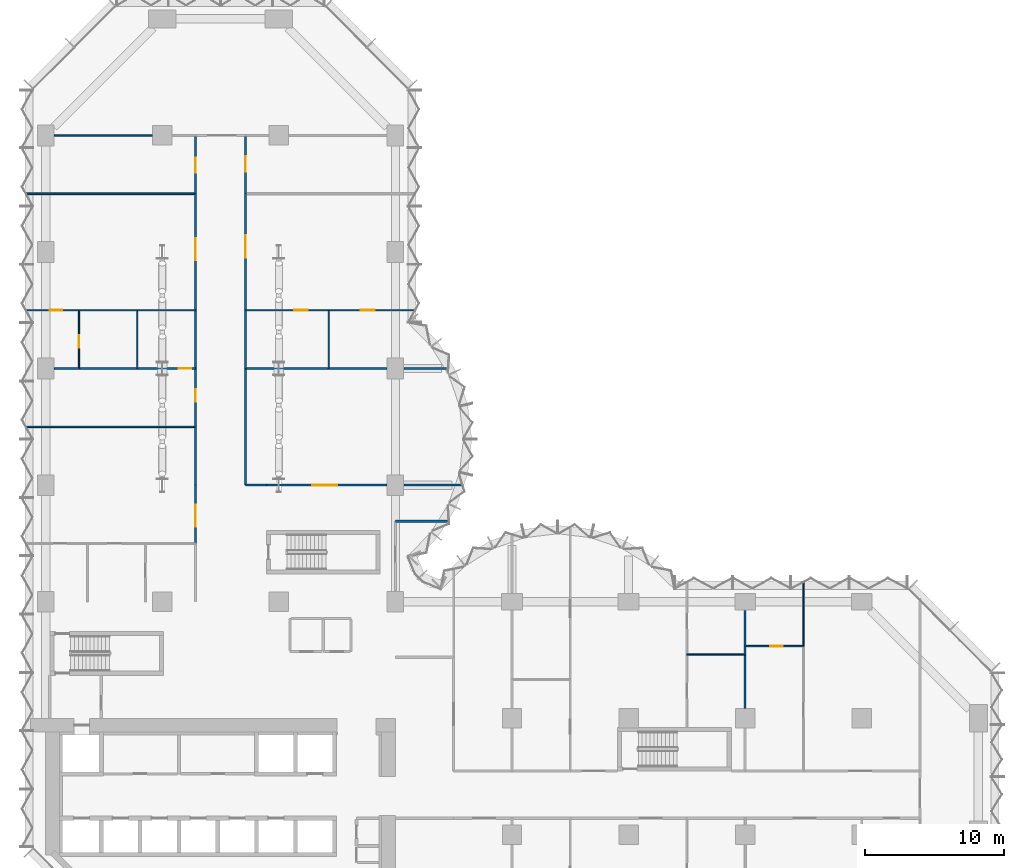
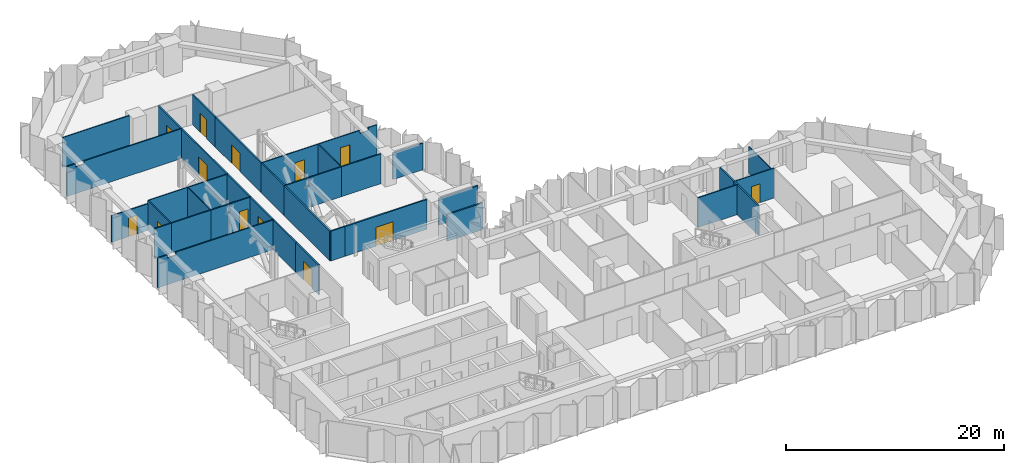
# One storey, part 13 of 18: 37 walls, 13 doors, 13 openings.
"""IFC4 building model written with IfcOpenShell, lengths in metres."""

from ifc_helpers import new_model, si_unit, direction, frame, frame_2d, origin, place, context, subcontext, project, spatial, polyline, rectangle, outline, extrude, material, layer, layer_set, type_object, element, fill, save


model = new_model("IFC4")

# Units and contexts
model_context = context("Model", 3, precision=1e-05, world=origin(), true_north=direction((0.0, 1.0)))
body_context = subcontext(model_context, "Body", "Model", "MODEL_VIEW")
ifc_project = project(units=[si_unit("LENGTHUNIT", "METRE"), si_unit("AREAUNIT", "SQUARE_METRE"), si_unit("VOLUMEUNIT", "CUBIC_METRE"), si_unit("PLANEANGLEUNIT", "RADIAN"), si_unit("MASSUNIT", "GRAM", prefix="KILO")], contexts=[model_context])

# Site, building, storey
site_placement = place(None, origin())
site = spatial("IfcSite", under=ifc_project, at=site_placement, CompositionType="ELEMENT")
building_placement = place(site_placement, origin())
building = spatial("IfcBuilding", under=site, at=building_placement, Name="Brevane Broadcast Tower", CompositionType="ELEMENT")
storey_placement = place(building_placement, frame((0.0, 0.0, 40.10009765625)))
storey = spatial("IfcBuildingStorey", under=building, at=storey_placement, Name="L07", CompositionType="ELEMENT", Elevation=40.10009765625)

# Walls
ifc_material_1 = material(Name="Gypsum board partition")
ifc_layer_1 = layer(ifc_material_1, 0.10009765625)
ifc_layer_set_1 = layer_set([ifc_layer_1], Name="PARTITION 100 STUD")
wall_type_1 = type_object("IfcWallType", Name="PARTITION 100 STUD", PredefinedType="PARTITIONING", material=ifc_layer_set_1)
wall_1_placement = place(storey_placement, frame((46.199951171875, 21.39990234375, 0.0), z_axis=(0.0, 0.0, 1.0), x_axis=(1.0, 0.0, 0.0)))
element("IfcWall", 1, at=wall_1_placement, inside=storey, type_object=wall_type_1, Name="Partition G01-044", PredefinedType="PARTITIONING", context=body_context, shape_type="SweptSolid", body=[
    extrude(rectangle(XDim=4.199951171875, YDim=0.10009765625, at=frame_2d((2.10009765625, 0.0))), origin(), (0.0, 0.0, 1.0), 3.329833984375),
])
wall_2_placement = place(storey_placement, frame((54.60009765625, 22.0, 0.0), z_axis=(0.0, 0.0, 1.0), x_axis=(0.0, 1.0, 0.0)))
element("IfcWall", 2, at=wall_2_placement, inside=storey, type_object=wall_type_1, Name="Partition G01-051", PredefinedType="PARTITIONING", context=body_context, shape_type="SweptSolid", body=[
    extrude(rectangle(XDim=4.56494140625, YDim=0.10009765625, at=frame_2d((2.282470703125, 0.0))), origin(), (0.0, 0.0, 1.0), 2.97998046875),
])

# Wall, opening, door
wall_3_placement = place(storey_placement, frame((50.39990234375, 22.0, 0.0), z_axis=(0.0, 0.0, 1.0), x_axis=(1.0, 0.0, 0.0)))
wall_3 = element("IfcWall", 3, at=wall_3_placement, inside=storey, type_object=wall_type_1, Name="Partition G01-052", PredefinedType="PARTITIONING", context=body_context, shape_type="SweptSolid", body=[
    extrude(rectangle(XDim=4.2001953125, YDim=0.10009765625, at=frame_2d((2.10009765625, 0.0))), origin(), (0.0, 0.0, 1.0), 3.329833984375),
])
opening_1_placement = place(wall_3_placement, frame((1.800048828125, 0.0, 0.0)))
opening_1 = element("IfcOpeningElement", 4, at=opening_1_placement, cuts=wall_3, Name="Opening D07-019", PredefinedType="OPENING", context=body_context, shape_type="SweptSolid", body=[
    extrude(rectangle(XDim=0.89990234375, YDim=2.10009765625, at=frame_2d((0.449951171875, 1.050048828125))), frame((0.0, 0.06005859375, 0.0), z_axis=(0.0, -1.0, 0.0), x_axis=(1.0, 0.0, 0.0)), (0.0, 0.0, 1.0), 0.1201171875),
])
ifc_material_2 = material(Name="Timber door leaf", Category="wood")
door_type_1 = type_object("IfcDoorType", Name="DOOR SINGLE 900 INTERNAL", OperationType="SINGLE_SWING_LEFT", PredefinedType="DOOR", material=ifc_material_2)
door_1_placement = place(opening_1_placement, origin())
door_1 = element("IfcDoor", 5, at=door_1_placement, inside=storey, type_object=door_type_1, Name="Door D07-019", OperationType="SINGLE_SWING_LEFT", OverallHeight=2.10009765625, OverallWidth=0.89990234375, PredefinedType="DOOR", context=body_context, shape_type="SweptSolid", body=[
    extrude(rectangle(XDim=0.89990234375, YDim=2.10009765625, at=frame_2d((0.449951171875, 1.050048828125))), frame((0.0, 0.02490234375, 0.0), z_axis=(0.0, -1.0, 0.0), x_axis=(1.0, 0.0, 0.0)), (0.0, 0.0, 1.0), 0.050048828125),
])
fill(opening_1, door_1)

# Wall
wall_4_placement = place(storey_placement, frame((7.679931640625, 58.800048828125, 0.0), z_axis=(0.0, 0.0, 1.0), x_axis=(-1.0, 0.0, 0.0)))
element("IfcWall", 6, at=wall_4_placement, inside=storey, type_object=wall_type_1, Name="Partition G01-069", PredefinedType="PARTITIONING", context=body_context, shape_type="SweptSolid", body=[
    extrude(rectangle(XDim=7.059814453125, YDim=0.10009765625, at=frame_2d((3.52978515625, 0.0))), origin(), (0.0, 0.0, 1.0), 3.329833984375),
])

# Wall, opening, door
wall_5_placement = place(storey_placement, frame((2.39990234375, 46.199951171875, 0.0), z_axis=(0.0, 0.0, 1.0), x_axis=(-1.0, 0.0, 0.0)))
wall_5 = element("IfcWall", 7, at=wall_5_placement, inside=storey, type_object=wall_type_1, Name="Partition G01-081", PredefinedType="PARTITIONING", context=body_context, shape_type="SweptSolid", body=[
    extrude(rectangle(XDim=3.869873046875, YDim=0.10009765625, at=frame_2d((1.93505859375, 0.0))), origin(), (0.0, 0.0, 1.0), 2.97998046875),
])
opening_2_placement = place(wall_5_placement, frame((1.199951171875, 0.0, 0.0)))
opening_2 = element("IfcOpeningElement", 8, at=opening_2_placement, cuts=wall_5, Name="Opening D07-027", PredefinedType="OPENING", context=body_context, shape_type="SweptSolid", body=[
    extrude(rectangle(XDim=0.89990234375, YDim=2.10009765625, at=frame_2d((0.449951171875, 1.050048828125))), frame((0.0, 0.06005859375, 0.0), z_axis=(0.0, -1.0, 0.0), x_axis=(1.0, 0.0, 0.0)), (0.0, 0.0, 1.0), 0.1201171875),
])
door_2_placement = place(opening_2_placement, origin())
door_2 = element("IfcDoor", 9, at=door_2_placement, inside=storey, type_object=door_type_1, Name="Door D07-027", OperationType="SINGLE_SWING_LEFT", OverallHeight=2.10009765625, OverallWidth=0.89990234375, PredefinedType="DOOR", context=body_context, shape_type="SweptSolid", body=[
    extrude(rectangle(XDim=0.89990234375, YDim=2.10009765625, at=frame_2d((0.449951171875, 1.050048828125))), frame((0.0, 0.02490234375, 0.0), z_axis=(0.0, -1.0, 0.0), x_axis=(1.0, 0.0, 0.0)), (0.0, 0.0, 1.0), 0.050048828125),
])
fill(opening_2, door_2)

# Walls
wall_6_placement = place(storey_placement, frame((6.60009765625, 46.199951171875, 0.0), z_axis=(0.0, 0.0, 1.0), x_axis=(-1.0, 0.0, 0.0)))
element("IfcWall", 10, at=wall_6_placement, inside=storey, type_object=wall_type_1, Name="Partition G01-082", PredefinedType="PARTITIONING", context=body_context, shape_type="SweptSolid", body=[
    extrude(rectangle(XDim=4.2001953125, YDim=0.10009765625, at=frame_2d((2.10009765625, 0.0))), origin(), (0.0, 0.0, 1.0), 3.329833984375),
])
wall_7_placement = place(storey_placement, frame((10.800048828125, 46.199951171875, 0.0), z_axis=(0.0, 0.0, 1.0), x_axis=(-1.0, 0.0, 0.0)))
element("IfcWall", 11, at=wall_7_placement, inside=storey, type_object=wall_type_1, Name="Partition G01-083", PredefinedType="PARTITIONING", context=body_context, shape_type="SweptSolid", body=[
    extrude(rectangle(XDim=4.199951171875, YDim=0.10009765625, at=frame_2d((2.10009765625, 0.0))), origin(), (0.0, 0.0, 1.0), 3.329833984375),
])

# Wall, opening, door
wall_8_placement = place(storey_placement, frame((2.39990234375, 46.199951171875, 0.0), z_axis=(0.0, 0.0, 1.0), x_axis=(0.0, -1.0, 0.0)))
wall_8 = element("IfcWall", 12, at=wall_8_placement, inside=storey, type_object=wall_type_1, Name="Partition G01-085", PredefinedType="PARTITIONING", context=body_context, shape_type="SweptSolid", body=[
    extrude(rectangle(XDim=4.199951171875, YDim=0.10009765625, at=frame_2d((2.10009765625, 0.0))), origin(), (0.0, 0.0, 1.0), 3.329833984375),
])
opening_3_placement = place(wall_8_placement, frame((1.800048828125, 0.0, 0.0)))
opening_3 = element("IfcOpeningElement", 13, at=opening_3_placement, cuts=wall_8, Name="Opening D07-028", PredefinedType="OPENING", context=body_context, shape_type="SweptSolid", body=[
    extrude(rectangle(XDim=0.89990234375, YDim=2.10009765625, at=frame_2d((0.449951171875, 1.050048828125))), frame((0.0, 0.06005859375, 0.0), z_axis=(0.0, -1.0, 0.0), x_axis=(1.0, 0.0, 0.0)), (0.0, 0.0, 1.0), 0.1201171875),
])
door_3_placement = place(opening_3_placement, origin())
door_3 = element("IfcDoor", 14, at=door_3_placement, inside=storey, type_object=door_type_1, Name="Door D07-028", OperationType="SINGLE_SWING_LEFT", OverallHeight=2.10009765625, OverallWidth=0.89990234375, PredefinedType="DOOR", context=body_context, shape_type="SweptSolid", body=[
    extrude(rectangle(XDim=0.89990234375, YDim=2.10009765625, at=frame_2d((0.449951171875, 1.050048828125))), frame((0.0, 0.02490234375, 0.0), z_axis=(0.0, -1.0, 0.0), x_axis=(1.0, 0.0, 0.0)), (0.0, 0.0, 1.0), 0.050048828125),
])
fill(opening_3, door_3)

# Wall
wall_9_placement = place(storey_placement, frame((6.60009765625, 46.199951171875, 0.0), z_axis=(0.0, 0.0, 1.0), x_axis=(0.0, -1.0, 0.0)))
element("IfcWall", 15, at=wall_9_placement, inside=storey, type_object=wall_type_1, Name="Partition G01-086", PredefinedType="PARTITIONING", context=body_context, shape_type="SweptSolid", body=[
    extrude(rectangle(XDim=4.199951171875, YDim=0.10009765625, at=frame_2d((2.10009765625, 0.0))), origin(), (0.0, 0.0, 1.0), 3.329833984375),
])

# Wall, opening, door
wall_10_placement = place(storey_placement, frame((20.39990234375, 46.199951171875, 0.0), z_axis=(0.0, 0.0, 1.0), x_axis=(-1.0, 0.0, 0.0)))
wall_10 = element("IfcWall", 16, at=wall_10_placement, inside=storey, type_object=wall_type_1, Name="Partition G01-090", PredefinedType="PARTITIONING", context=body_context, shape_type="SweptSolid", body=[
    extrude(rectangle(XDim=6.0, YDim=0.10009765625, at=frame_2d((3.0, 0.0))), origin(), (0.0, 0.0, 1.0), 3.329833984375),
])
opening_4_placement = place(wall_10_placement, frame((1.5, 0.0, 0.0)))
opening_4 = element("IfcOpeningElement", 17, at=opening_4_placement, cuts=wall_10, Name="Opening D07-033", PredefinedType="OPENING", context=body_context, shape_type="SweptSolid", body=[
    extrude(rectangle(XDim=1.0, YDim=2.10009765625, at=frame_2d((0.5, 1.050048828125))), frame((0.0, 0.06005859375, 0.0), z_axis=(0.0, -1.0, 0.0), x_axis=(1.0, 0.0, 0.0)), (0.0, 0.0, 1.0), 0.1201171875),
])
door_type_2 = type_object("IfcDoorType", Name="DOOR SINGLE 1000 INTERNAL", OperationType="SINGLE_SWING_LEFT", PredefinedType="DOOR", material=ifc_material_2)
door_4_placement = place(opening_4_placement, origin())
door_4 = element("IfcDoor", 18, at=door_4_placement, inside=storey, type_object=door_type_2, Name="Door D07-033", OperationType="SINGLE_SWING_LEFT", OverallHeight=2.10009765625, OverallWidth=1.0, PredefinedType="DOOR", context=body_context, shape_type="SweptSolid", body=[
    extrude(rectangle(XDim=1.0, YDim=2.10009765625, at=frame_2d((0.5, 1.050048828125))), frame((0.0, 0.02490234375, 0.0), z_axis=(0.0, -1.0, 0.0), x_axis=(1.0, 0.0, 0.0)), (0.0, 0.0, 1.0), 0.050048828125),
])
fill(opening_4, door_4)

wall_11_placement = place(storey_placement, frame((26.56494140625, 46.199951171875, 0.0), z_axis=(0.0, 0.0, 1.0), x_axis=(-1.0, 0.0, 0.0)))
wall_11 = element("IfcWall", 19, at=wall_11_placement, inside=storey, type_object=wall_type_1, Name="Partition G01-091", PredefinedType="PARTITIONING", context=body_context, shape_type="SweptSolid", body=[
    extrude(outline(polyline([(0.0, 0.0), (6.1650390625, 0.0), (6.1650390625, 3.329833984375), (1.81494140625, 3.329833984375), (1.81298828125, 2.97998046875), (0.9169921875, 2.97998046875), (0.9150390625, 3.329833984375), (0.264892578125, 3.329833984375), (0.0, 3.329833984375), (0.0, 0.0)])), frame((0.0, 0.050048828125, 0.0), z_axis=(0.0, -1.0, 0.0), x_axis=(1.0, 0.0, 0.0)), (0.0, 0.0, 1.0), 0.10009765625),
])
opening_5_placement = place(wall_11_placement, frame((2.864990234375, 0.0, 0.0)))
opening_5 = element("IfcOpeningElement", 20, at=opening_5_placement, cuts=wall_11, Name="Opening D07-034", PredefinedType="OPENING", context=body_context, shape_type="SweptSolid", body=[
    extrude(rectangle(XDim=1.0, YDim=2.10009765625, at=frame_2d((0.5, 1.050048828125))), frame((0.0, 0.06005859375, 0.0), z_axis=(0.0, -1.0, 0.0), x_axis=(1.0, 0.0, 0.0)), (0.0, 0.0, 1.0), 0.1201171875),
])
door_5_placement = place(opening_5_placement, origin())
door_5 = element("IfcDoor", 21, at=door_5_placement, inside=storey, type_object=door_type_2, Name="Door D07-034", OperationType="SINGLE_SWING_LEFT", OverallHeight=2.10009765625, OverallWidth=1.0, PredefinedType="DOOR", context=body_context, shape_type="SweptSolid", body=[
    extrude(rectangle(XDim=1.0, YDim=2.10009765625, at=frame_2d((0.5, 1.050048828125))), frame((0.0, 0.02490234375, 0.0), z_axis=(0.0, -1.0, 0.0), x_axis=(1.0, 0.0, 0.0)), (0.0, 0.0, 1.0), 0.050048828125),
])
fill(opening_5, door_5)

# Walls
wall_12_placement = place(storey_placement, frame((20.39990234375, 46.199951171875, 0.0), z_axis=(0.0, 0.0, 1.0), x_axis=(0.0, -1.0, 0.0)))
element("IfcWall", 22, at=wall_12_placement, inside=storey, type_object=wall_type_1, Name="Partition G01-093", PredefinedType="PARTITIONING", context=body_context, shape_type="SweptSolid", body=[
    extrude(rectangle(XDim=4.199951171875, YDim=0.10009765625, at=frame_2d((2.10009765625, 0.0))), origin(), (0.0, 0.0, 1.0), 3.329833984375),
])
ifc_layer_2 = layer(ifc_material_1, 0.125)
ifc_layer_set_2 = layer_set([ifc_layer_2], Name="PARTITION 125 ACOUSTIC")
wall_type_2 = type_object("IfcWallType", Name="PARTITION 125 ACOUSTIC", PredefinedType="PARTITIONING", material=ifc_layer_set_2)
wall_13_placement = place(storey_placement, frame((-1.469970703125, 37.800048828125, 0.0), z_axis=(0.0, 0.0, 1.0), x_axis=(1.0, 0.0, 0.0)))
element("IfcWall", 23, at=wall_13_placement, inside=storey, type_object=wall_type_2, Name="Partition G01-075", PredefinedType="PARTITIONING", context=body_context, shape_type="SweptSolid", body=[
    extrude(outline(polyline([(0.0, 0.0), (12.27001953125, 0.0), (12.27001953125, 3.329833984375), (1.919921875, 3.329833984375), (1.91796875, 2.97998046875), (1.02197265625, 2.97998046875), (1.02001953125, 3.329833984375), (0.3701171875, 3.329833984375), (0.0, 3.329833984375), (0.0, 0.0)])), frame((0.0, 0.0625, 0.0), z_axis=(0.0, -1.0, 0.0), x_axis=(1.0, 0.0, 0.0)), (0.0, 0.0, 1.0), 0.125),
])
wall_14_placement = place(storey_placement, frame((0.6201171875, 42.0, 0.0), z_axis=(0.0, 0.0, 1.0), x_axis=(1.0, 0.0, 0.0)))
element("IfcWall", 24, at=wall_14_placement, inside=storey, type_object=wall_type_2, Name="Partition G01-078", PredefinedType="PARTITIONING", context=body_context, shape_type="SweptSolid", body=[
    extrude(rectangle(XDim=1.77978515625, YDim=0.125, at=frame_2d((0.889892578125, 0.0))), origin(), (0.0, 0.0, 1.0), 3.329833984375),
])
wall_15_placement = place(storey_placement, frame((2.39990234375, 42.0, 0.0), z_axis=(0.0, 0.0, 1.0), x_axis=(1.0, 0.0, 0.0)))
element("IfcWall", 25, at=wall_15_placement, inside=storey, type_object=wall_type_2, Name="Partition G01-079", PredefinedType="PARTITIONING", context=body_context, shape_type="SweptSolid", body=[
    extrude(rectangle(XDim=4.2001953125, YDim=0.125, at=frame_2d((2.10009765625, 0.0))), origin(), (0.0, 0.0, 1.0), 3.329833984375),
])

# Wall, opening, door
wall_16_placement = place(storey_placement, frame((6.60009765625, 42.0, 0.0), z_axis=(0.0, 0.0, 1.0), x_axis=(1.0, 0.0, 0.0)))
wall_16 = element("IfcWall", 26, at=wall_16_placement, inside=storey, type_object=wall_type_2, Name="Partition G01-080", PredefinedType="PARTITIONING", context=body_context, shape_type="SweptSolid", body=[
    extrude(rectangle(XDim=4.199951171875, YDim=0.125, at=frame_2d((2.10009765625, 0.0))), origin(), (0.0, 0.0, 1.0), 3.329833984375),
])
opening_6_placement = place(wall_16_placement, frame((3.0, 0.0, 0.0)))
opening_6 = element("IfcOpeningElement", 27, at=opening_6_placement, cuts=wall_16, Name="Opening D07-029", PredefinedType="OPENING", context=body_context, shape_type="SweptSolid", body=[
    extrude(rectangle(XDim=0.89990234375, YDim=2.10009765625, at=frame_2d((0.449951171875, 1.050048828125))), frame((0.0, 0.072509765625, 0.0), z_axis=(0.0, -1.0, 0.0), x_axis=(1.0, 0.0, 0.0)), (0.0, 0.0, 1.0), 0.14501953125),
])
door_6_placement = place(opening_6_placement, origin())
door_6 = element("IfcDoor", 28, at=door_6_placement, inside=storey, type_object=door_type_1, Name="Door D07-029", OperationType="SINGLE_SWING_RIGHT", OverallHeight=2.10009765625, OverallWidth=0.89990234375, PredefinedType="DOOR", context=body_context, shape_type="SweptSolid", body=[
    extrude(rectangle(XDim=0.89990234375, YDim=2.10009765625, at=frame_2d((0.449951171875, 1.050048828125))), frame((0.0, 0.02490234375, 0.0), z_axis=(0.0, -1.0, 0.0), x_axis=(1.0, 0.0, 0.0)), (0.0, 0.0, 1.0), 0.050048828125),
])
fill(opening_6, door_6)

# Walls
wall_17_placement = place(storey_placement, frame((-1.364990234375, 54.60009765625, 0.0), z_axis=(0.0, 0.0, 1.0), x_axis=(1.0, 0.0, 0.0)))
element("IfcWall", 29, at=wall_17_placement, inside=storey, type_object=wall_type_2, Name="Partition G01-084", PredefinedType="PARTITIONING", context=body_context, shape_type="SweptSolid", body=[
    extrude(outline(polyline([(0.0, 0.0), (12.1650390625, 0.0), (12.1650390625, 3.329833984375), (1.81494140625, 3.329833984375), (1.81298828125, 2.97998046875), (0.9169921875, 2.97998046875), (0.9150390625, 3.329833984375), (0.264892578125, 3.329833984375), (0.0, 3.329833984375), (0.0, 0.0)])), frame((0.0, 0.0625, 0.0), z_axis=(0.0, -1.0, 0.0), x_axis=(1.0, 0.0, 0.0)), (0.0, 0.0, 1.0), 0.125),
])
wall_18_placement = place(storey_placement, frame((14.39990234375, 42.0, 0.0), z_axis=(0.0, 0.0, 1.0), x_axis=(1.0, 0.0, 0.0)))
element("IfcWall", 30, at=wall_18_placement, inside=storey, type_object=wall_type_2, Name="Partition G01-087", PredefinedType="PARTITIONING", context=body_context, shape_type="SweptSolid", body=[
    extrude(rectangle(XDim=6.0, YDim=0.125, at=frame_2d((3.0, 0.0))), origin(), (0.0, 0.0, 1.0), 3.329833984375),
])
wall_19_placement = place(storey_placement, frame((20.39990234375, 42.0, 0.0), z_axis=(0.0, 0.0, 1.0), x_axis=(1.0, 0.0, 0.0)))
element("IfcWall", 31, at=wall_19_placement, inside=storey, type_object=wall_type_2, Name="Partition G01-088", PredefinedType="PARTITIONING", context=body_context, shape_type="SweptSolid", body=[
    extrude(rectangle(XDim=4.18017578125, YDim=0.125, at=frame_2d((2.090087890625, 0.0))), origin(), (0.0, 0.0, 1.0), 3.329833984375),
])
wall_20_placement = place(storey_placement, frame((25.820068359375, 42.0, 0.0), z_axis=(0.0, 0.0, 1.0), x_axis=(1.0, 0.0, 0.0)))
element("IfcWall", 32, at=wall_20_placement, inside=storey, type_object=wall_type_2, Name="Partition G01-089", PredefinedType="PARTITIONING", context=body_context, shape_type="SweptSolid", body=[
    extrude(rectangle(XDim=3.19140625, YDim=0.125, at=frame_2d((1.595703125, 0.0))), origin(), (0.0, 0.0, 1.0), 2.97998046875),
])
ifc_layer_3 = layer(ifc_material_1, 0.14990234375)
ifc_layer_set_3 = layer_set([ifc_layer_3], Name="PARTITION 150 EI 60")
wall_type_3 = type_object("IfcWallType", Name="PARTITION 150 EI 60", PredefinedType="PARTITIONING", material=ifc_layer_set_3)
wall_21_placement = place(storey_placement, frame((25.199951171875, 31.0, 0.0), z_axis=(0.0, 0.0, 1.0), x_axis=(1.0, 0.0, 0.0)))
element("IfcWall", 33, at=wall_21_placement, inside=storey, type_object=wall_type_3, Name="Partition G01-006", PredefinedType="PARTITIONING", context=body_context, shape_type="SweptSolid", body=[
    extrude(rectangle(XDim=3.80615234375, YDim=0.14990234375, at=frame_2d((1.903076171875, 0.0))), origin(), (0.0, 0.0, 1.0), 2.97998046875),
])
wall_22_placement = place(storey_placement, frame((50.39990234375, 21.39990234375, 0.0), z_axis=(0.0, 0.0, 1.0), x_axis=(0.0, -1.0, 0.0)))
element("IfcWall", 34, at=wall_22_placement, inside=storey, type_object=wall_type_3, Name="Partition G01-045", PredefinedType="PARTITIONING", context=body_context, shape_type="SweptSolid", body=[
    extrude(rectangle(XDim=3.8798828125, YDim=0.14990234375, at=frame_2d((1.93994140625, 0.0))), origin(), (0.0, 0.0, 1.0), 3.329833984375),
])
wall_23_placement = place(storey_placement, frame((50.39990234375, 22.0, 0.0), z_axis=(0.0, 0.0, 1.0), x_axis=(0.0, -1.0, 0.0)))
element("IfcWall", 35, at=wall_23_placement, inside=storey, type_object=wall_type_3, Name="Partition G01-047", PredefinedType="PARTITIONING", context=body_context, shape_type="SweptSolid", body=[
    extrude(rectangle(XDim=0.60009765625, YDim=0.14990234375, at=frame_2d((0.300048828125, 0.0))), origin(), (0.0, 0.0, 1.0), 3.329833984375),
])
wall_24_placement = place(storey_placement, frame((50.39990234375, 24.580078125, 0.0), z_axis=(0.0, 0.0, 1.0), x_axis=(0.0, -1.0, 0.0)))
element("IfcWall", 36, at=wall_24_placement, inside=storey, type_object=wall_type_3, Name="Partition G01-048", PredefinedType="PARTITIONING", context=body_context, shape_type="SweptSolid", body=[
    extrude(rectangle(XDim=2.580078125, YDim=0.14990234375, at=frame_2d((1.2900390625, 0.0))), origin(), (0.0, 0.0, 1.0), 3.329833984375),
])

# Wall, opening, door
wall_25_placement = place(storey_placement, frame((10.800048828125, 29.39990234375, 0.0), z_axis=(0.0, 0.0, 1.0), x_axis=(0.0, 1.0, 0.0)))
wall_25 = element("IfcWall", 37, at=wall_25_placement, inside=storey, type_object=wall_type_3, Name="Partition G01-053", PredefinedType="PARTITIONING", context=body_context, shape_type="SweptSolid", body=[
    extrude(rectangle(XDim=4.2001953125, YDim=0.14990234375, at=frame_2d((2.10009765625, 0.0))), origin(), (0.0, 0.0, 1.0), 3.329833984375),
])
opening_7_placement = place(wall_25_placement, frame((1.199951171875, 0.0, 0.0)))
opening_7 = element("IfcOpeningElement", 38, at=opening_7_placement, cuts=wall_25, Name="Opening D07-021", PredefinedType="OPENING", context=body_context, shape_type="SweptSolid", body=[
    extrude(rectangle(XDim=1.60009765625, YDim=2.10009765625, at=frame_2d((0.800048828125, 1.050048828125))), frame((0.0, 0.0849609375, 0.0), z_axis=(0.0, -1.0, 0.0), x_axis=(1.0, 0.0, 0.0)), (0.0, 0.0, 1.0), 0.169921875),
])
ifc_material_3 = material(Name="Fire-rated timber door leaf", Category="wood")
door_type_3 = type_object("IfcDoorType", Name="DOOR DOUBLE 1600 FD30S", OperationType="DOUBLE_DOOR_SINGLE_SWING", PredefinedType="DOOR", material=ifc_material_3)
door_7_placement = place(opening_7_placement, origin())
door_7 = element("IfcDoor", 39, at=door_7_placement, inside=storey, type_object=door_type_3, Name="Door D07-021", OperationType="DOUBLE_DOOR_SINGLE_SWING", OverallHeight=2.10009765625, OverallWidth=1.60009765625, PredefinedType="DOOR", context=body_context, shape_type="SweptSolid", body=[
    extrude(rectangle(XDim=1.60009765625, YDim=2.10009765625, at=frame_2d((0.800048828125, 1.050048828125))), frame((0.0, 0.02490234375, 0.0), z_axis=(0.0, -1.0, 0.0), x_axis=(1.0, 0.0, 0.0)), (0.0, 0.0, 1.0), 0.050048828125),
])
fill(opening_7, door_7)

# Wall
wall_26_placement = place(storey_placement, frame((14.39990234375, 33.60009765625, 0.0), z_axis=(0.0, 0.0, 1.0), x_axis=(1.0, 0.0, 0.0)))
element("IfcWall", 40, at=wall_26_placement, inside=storey, type_object=wall_type_3, Name="Partition G01-055", PredefinedType="PARTITIONING", context=body_context, shape_type="SweptSolid", body=[
    extrude(rectangle(XDim=1.5, YDim=0.14990234375, at=frame_2d((0.75, 0.0))), origin(), (0.0, 0.0, 1.0), 3.329833984375),
])

# Wall, opening, door
wall_27_placement = place(storey_placement, frame((15.89990234375, 33.60009765625, 0.0), z_axis=(0.0, 0.0, 1.0), x_axis=(1.0, 0.0, 0.0)))
wall_27 = element("IfcWall", 41, at=wall_27_placement, inside=storey, type_object=wall_type_3, Name="Partition G01-056", PredefinedType="PARTITIONING", context=body_context, shape_type="SweptSolid", body=[
    extrude(rectangle(XDim=8.68017578125, YDim=0.14990234375, at=frame_2d((4.340087890625, 0.0))), origin(), (0.0, 0.0, 1.0), 3.329833984375),
])
opening_8_placement = place(wall_27_placement, frame((3.300048828125, 0.0, 0.0)))
opening_8 = element("IfcOpeningElement", 42, at=opening_8_placement, cuts=wall_27, Name="Opening D07-031", PredefinedType="OPENING", context=body_context, shape_type="SweptSolid", body=[
    extrude(rectangle(XDim=1.800048828125, YDim=2.10009765625, at=frame_2d((0.89990234375, 1.050048828125))), frame((0.0, 0.0849609375, 0.0), z_axis=(0.0, -1.0, 0.0), x_axis=(1.0, 0.0, 0.0)), (0.0, 0.0, 1.0), 0.169921875),
])
door_type_4 = type_object("IfcDoorType", Name="DOOR DOUBLE 1800 FD30S", OperationType="DOUBLE_DOOR_SINGLE_SWING", PredefinedType="DOOR", material=ifc_material_3)
door_8_placement = place(opening_8_placement, origin())
door_8 = element("IfcDoor", 43, at=door_8_placement, inside=storey, type_object=door_type_4, Name="Door D07-031", OperationType="DOUBLE_DOOR_SINGLE_SWING", OverallHeight=2.10009765625, OverallWidth=1.800048828125, PredefinedType="DOOR", context=body_context, shape_type="SweptSolid", body=[
    extrude(rectangle(XDim=1.800048828125, YDim=2.10009765625, at=frame_2d((0.89990234375, 1.050048828125))), frame((0.0, 0.02490234375, 0.0), z_axis=(0.0, -1.0, 0.0), x_axis=(1.0, 0.0, 0.0)), (0.0, 0.0, 1.0), 0.050048828125),
])
fill(opening_8, door_8)

# Walls
wall_28_placement = place(storey_placement, frame((25.820068359375, 33.60009765625, 0.0), z_axis=(0.0, 0.0, 1.0), x_axis=(1.0, 0.0, 0.0)))
element("IfcWall", 44, at=wall_28_placement, inside=storey, type_object=wall_type_3, Name="Partition G01-057", PredefinedType="PARTITIONING", context=body_context, shape_type="SweptSolid", body=[
    extrude(rectangle(XDim=4.168212890625, YDim=0.14990234375, at=frame_2d((2.083984375, 0.0))), origin(), (0.0, 0.0, 1.0), 2.97998046875),
])
wall_29_placement = place(storey_placement, frame((10.800048828125, 33.60009765625, 0.0), z_axis=(0.0, 0.0, 1.0), x_axis=(0.0, 1.0, 0.0)))
element("IfcWall", 45, at=wall_29_placement, inside=storey, type_object=wall_type_3, Name="Partition G01-059", PredefinedType="PARTITIONING", context=body_context, shape_type="SweptSolid", body=[
    extrude(rectangle(XDim=4.199951171875, YDim=0.14990234375, at=frame_2d((2.10009765625, 0.0))), origin(), (0.0, 0.0, 1.0), 3.329833984375),
])

# Wall, opening, door
wall_30_placement = place(storey_placement, frame((10.800048828125, 37.800048828125, 0.0), z_axis=(0.0, 0.0, 1.0), x_axis=(0.0, 1.0, 0.0)))
wall_30 = element("IfcWall", 46, at=wall_30_placement, inside=storey, type_object=wall_type_3, Name="Partition G01-060", PredefinedType="PARTITIONING", context=body_context, shape_type="SweptSolid", body=[
    extrude(rectangle(XDim=4.199951171875, YDim=0.14990234375, at=frame_2d((2.10009765625, 0.0))), origin(), (0.0, 0.0, 1.0), 3.329833984375),
])
opening_9_placement = place(wall_30_placement, frame((1.800048828125, 0.0, 0.0)))
opening_9 = element("IfcOpeningElement", 47, at=opening_9_placement, cuts=wall_30, Name="Opening D07-025", PredefinedType="OPENING", context=body_context, shape_type="SweptSolid", body=[
    extrude(rectangle(XDim=0.89990234375, YDim=2.10009765625, at=frame_2d((0.449951171875, 1.050048828125))), frame((0.0, 0.0849609375, 0.0), z_axis=(0.0, -1.0, 0.0), x_axis=(1.0, 0.0, 0.0)), (0.0, 0.0, 1.0), 0.169921875),
])
door_type_5 = type_object("IfcDoorType", Name="DOOR SINGLE 900 FD30S", OperationType="SINGLE_SWING_LEFT", PredefinedType="DOOR", material=ifc_material_3)
door_9_placement = place(opening_9_placement, origin())
door_9 = element("IfcDoor", 48, at=door_9_placement, inside=storey, type_object=door_type_5, Name="Door D07-025", OperationType="SINGLE_SWING_LEFT", OverallHeight=2.10009765625, OverallWidth=0.89990234375, PredefinedType="DOOR", context=body_context, shape_type="SweptSolid", body=[
    extrude(rectangle(XDim=0.89990234375, YDim=2.10009765625, at=frame_2d((0.449951171875, 1.050048828125))), frame((0.0, 0.02490234375, 0.0), z_axis=(0.0, -1.0, 0.0), x_axis=(1.0, 0.0, 0.0)), (0.0, 0.0, 1.0), 0.050048828125),
])
fill(opening_9, door_9)

wall_31_placement = place(storey_placement, frame((10.800048828125, 46.199951171875, 0.0), z_axis=(0.0, 0.0, 1.0), x_axis=(0.0, 1.0, 0.0)))
wall_31 = element("IfcWall", 49, at=wall_31_placement, inside=storey, type_object=wall_type_3, Name="Partition G01-061", PredefinedType="PARTITIONING", context=body_context, shape_type="SweptSolid", body=[
    extrude(rectangle(XDim=8.400146484375, YDim=0.14990234375, at=frame_2d((4.2001953125, 0.0))), origin(), (0.0, 0.0, 1.0), 3.329833984375),
])
opening_10_placement = place(wall_31_placement, frame((3.60009765625, 0.0, 0.0)))
opening_10 = element("IfcOpeningElement", 50, at=opening_10_placement, cuts=wall_31, Name="Opening D07-026", PredefinedType="OPENING", context=body_context, shape_type="SweptSolid", body=[
    extrude(rectangle(XDim=1.60009765625, YDim=2.10009765625, at=frame_2d((0.800048828125, 1.050048828125))), frame((0.0, 0.0849609375, 0.0), z_axis=(0.0, -1.0, 0.0), x_axis=(1.0, 0.0, 0.0)), (0.0, 0.0, 1.0), 0.169921875),
])
door_10_placement = place(opening_10_placement, origin())
door_10 = element("IfcDoor", 51, at=door_10_placement, inside=storey, type_object=door_type_3, Name="Door D07-026", OperationType="DOUBLE_DOOR_SINGLE_SWING", OverallHeight=2.10009765625, OverallWidth=1.60009765625, PredefinedType="DOOR", context=body_context, shape_type="SweptSolid", body=[
    extrude(rectangle(XDim=1.60009765625, YDim=2.10009765625, at=frame_2d((0.800048828125, 1.050048828125))), frame((0.0, 0.02490234375, 0.0), z_axis=(0.0, -1.0, 0.0), x_axis=(1.0, 0.0, 0.0)), (0.0, 0.0, 1.0), 0.050048828125),
])
fill(opening_10, door_10)

# Wall
wall_32_placement = place(storey_placement, frame((10.800048828125, 42.0, 0.0), z_axis=(0.0, 0.0, 1.0), x_axis=(0.0, 1.0, 0.0)))
element("IfcWall", 52, at=wall_32_placement, inside=storey, type_object=wall_type_3, Name="Partition G01-062", PredefinedType="PARTITIONING", context=body_context, shape_type="SweptSolid", body=[
    extrude(rectangle(XDim=4.199951171875, YDim=0.14990234375, at=frame_2d((2.10009765625, 0.0))), origin(), (0.0, 0.0, 1.0), 3.329833984375),
])

# Wall, opening, door
wall_33_placement = place(storey_placement, frame((10.800048828125, 54.60009765625, 0.0), z_axis=(0.0, 0.0, 1.0), x_axis=(0.0, 1.0, 0.0)))
wall_33 = element("IfcWall", 53, at=wall_33_placement, inside=storey, type_object=wall_type_3, Name="Partition G01-063", PredefinedType="PARTITIONING", context=body_context, shape_type="SweptSolid", body=[
    extrude(rectangle(XDim=4.199951171875, YDim=0.14990234375, at=frame_2d((2.10009765625, 0.0))), origin(), (0.0, 0.0, 1.0), 3.329833984375),
])
opening_11_placement = place(wall_33_placement, frame((1.5, 0.0, 0.0)))
opening_11 = element("IfcOpeningElement", 54, at=opening_11_placement, cuts=wall_33, Name="Opening D07-030", PredefinedType="OPENING", context=body_context, shape_type="SweptSolid", body=[
    extrude(rectangle(XDim=1.10009765625, YDim=2.10009765625, at=frame_2d((0.550048828125, 1.050048828125))), frame((0.0, 0.0849609375, 0.0), z_axis=(0.0, -1.0, 0.0), x_axis=(1.0, 0.0, 0.0)), (0.0, 0.0, 1.0), 0.169921875),
])
door_type_6 = type_object("IfcDoorType", Name="DOOR SINGLE 1100 FD30S", OperationType="SINGLE_SWING_LEFT", PredefinedType="DOOR", material=ifc_material_3)
door_11_placement = place(opening_11_placement, origin())
door_11 = element("IfcDoor", 55, at=door_11_placement, inside=storey, type_object=door_type_6, Name="Door D07-030", OperationType="SINGLE_SWING_LEFT", OverallHeight=2.10009765625, OverallWidth=1.10009765625, PredefinedType="DOOR", context=body_context, shape_type="SweptSolid", body=[
    extrude(rectangle(XDim=1.10009765625, YDim=2.10009765625, at=frame_2d((0.550048828125, 1.050048828125))), frame((0.0, 0.02490234375, 0.0), z_axis=(0.0, -1.0, 0.0), x_axis=(1.0, 0.0, 0.0)), (0.0, 0.0, 1.0), 0.050048828125),
])
fill(opening_11, door_11)

# Wall
wall_34_placement = place(storey_placement, frame((14.39990234375, 42.0, 0.0), z_axis=(0.0, 0.0, 1.0), x_axis=(0.0, -1.0, 0.0)))
element("IfcWall", 56, at=wall_34_placement, inside=storey, type_object=wall_type_3, Name="Partition G01-064", PredefinedType="PARTITIONING", context=body_context, shape_type="SweptSolid", body=[
    extrude(rectangle(XDim=8.39990234375, YDim=0.14990234375, at=frame_2d((4.199951171875, 0.0))), origin(), (0.0, 0.0, 1.0), 3.329833984375),
])

# Wall, opening, door
wall_35_placement = place(storey_placement, frame((14.39990234375, 54.60009765625, 0.0), z_axis=(0.0, 0.0, 1.0), x_axis=(0.0, -1.0, 0.0)))
wall_35 = element("IfcWall", 57, at=wall_35_placement, inside=storey, type_object=wall_type_3, Name="Partition G01-065", PredefinedType="PARTITIONING", context=body_context, shape_type="SweptSolid", body=[
    extrude(rectangle(XDim=8.400146484375, YDim=0.14990234375, at=frame_2d((4.2001953125, 0.0))), origin(), (0.0, 0.0, 1.0), 3.329833984375),
])
opening_12_placement = place(wall_35_placement, frame((3.0, 0.0, 0.0)))
opening_12 = element("IfcOpeningElement", 58, at=opening_12_placement, cuts=wall_35, Name="Opening D07-032", PredefinedType="OPENING", context=body_context, shape_type="SweptSolid", body=[
    extrude(rectangle(XDim=1.60009765625, YDim=2.10009765625, at=frame_2d((0.800048828125, 1.050048828125))), frame((0.0, 0.0849609375, 0.0), z_axis=(0.0, -1.0, 0.0), x_axis=(1.0, 0.0, 0.0)), (0.0, 0.0, 1.0), 0.169921875),
])
door_12_placement = place(opening_12_placement, origin())
door_12 = element("IfcDoor", 59, at=door_12_placement, inside=storey, type_object=door_type_3, Name="Door D07-032", OperationType="DOUBLE_DOOR_SINGLE_SWING", OverallHeight=2.10009765625, OverallWidth=1.60009765625, PredefinedType="DOOR", context=body_context, shape_type="SweptSolid", body=[
    extrude(rectangle(XDim=1.60009765625, YDim=2.10009765625, at=frame_2d((0.800048828125, 1.050048828125))), frame((0.0, 0.02490234375, 0.0), z_axis=(0.0, -1.0, 0.0), x_axis=(1.0, 0.0, 0.0)), (0.0, 0.0, 1.0), 0.050048828125),
])
fill(opening_12, door_12)

# Wall
wall_36_placement = place(storey_placement, frame((14.39990234375, 46.199951171875, 0.0), z_axis=(0.0, 0.0, 1.0), x_axis=(0.0, -1.0, 0.0)))
element("IfcWall", 60, at=wall_36_placement, inside=storey, type_object=wall_type_3, Name="Partition G01-066", PredefinedType="PARTITIONING", context=body_context, shape_type="SweptSolid", body=[
    extrude(rectangle(XDim=4.199951171875, YDim=0.14990234375, at=frame_2d((2.10009765625, 0.0))), origin(), (0.0, 0.0, 1.0), 3.329833984375),
])

# Wall, opening, door
wall_37_placement = place(storey_placement, frame((14.39990234375, 58.800048828125, 0.0), z_axis=(0.0, 0.0, 1.0), x_axis=(0.0, -1.0, 0.0)))
wall_37 = element("IfcWall", 61, at=wall_37_placement, inside=storey, type_object=wall_type_3, Name="Partition G01-067", PredefinedType="PARTITIONING", context=body_context, shape_type="SweptSolid", body=[
    extrude(rectangle(XDim=4.199951171875, YDim=0.14990234375, at=frame_2d((2.10009765625, 0.0))), origin(), (0.0, 0.0, 1.0), 3.329833984375),
])
opening_13_placement = place(wall_37_placement, frame((1.5, 0.0, 0.0)))
opening_13 = element("IfcOpeningElement", 62, at=opening_13_placement, cuts=wall_37, Name="Opening D07-035", PredefinedType="OPENING", context=body_context, shape_type="SweptSolid", body=[
    extrude(rectangle(XDim=1.10009765625, YDim=2.10009765625, at=frame_2d((0.550048828125, 1.050048828125))), frame((0.0, 0.0849609375, 0.0), z_axis=(0.0, -1.0, 0.0), x_axis=(1.0, 0.0, 0.0)), (0.0, 0.0, 1.0), 0.169921875),
])
door_13_placement = place(opening_13_placement, origin())
door_13 = element("IfcDoor", 63, at=door_13_placement, inside=storey, type_object=door_type_6, Name="Door D07-035", OperationType="SINGLE_SWING_LEFT", OverallHeight=2.10009765625, OverallWidth=1.10009765625, PredefinedType="DOOR", context=body_context, shape_type="SweptSolid", body=[
    extrude(rectangle(XDim=1.10009765625, YDim=2.10009765625, at=frame_2d((0.550048828125, 1.050048828125))), frame((0.0, 0.02490234375, 0.0), z_axis=(0.0, -1.0, 0.0), x_axis=(1.0, 0.0, 0.0)), (0.0, 0.0, 1.0), 0.050048828125),
])
fill(opening_13, door_13)

save(model, "model.ifc")
